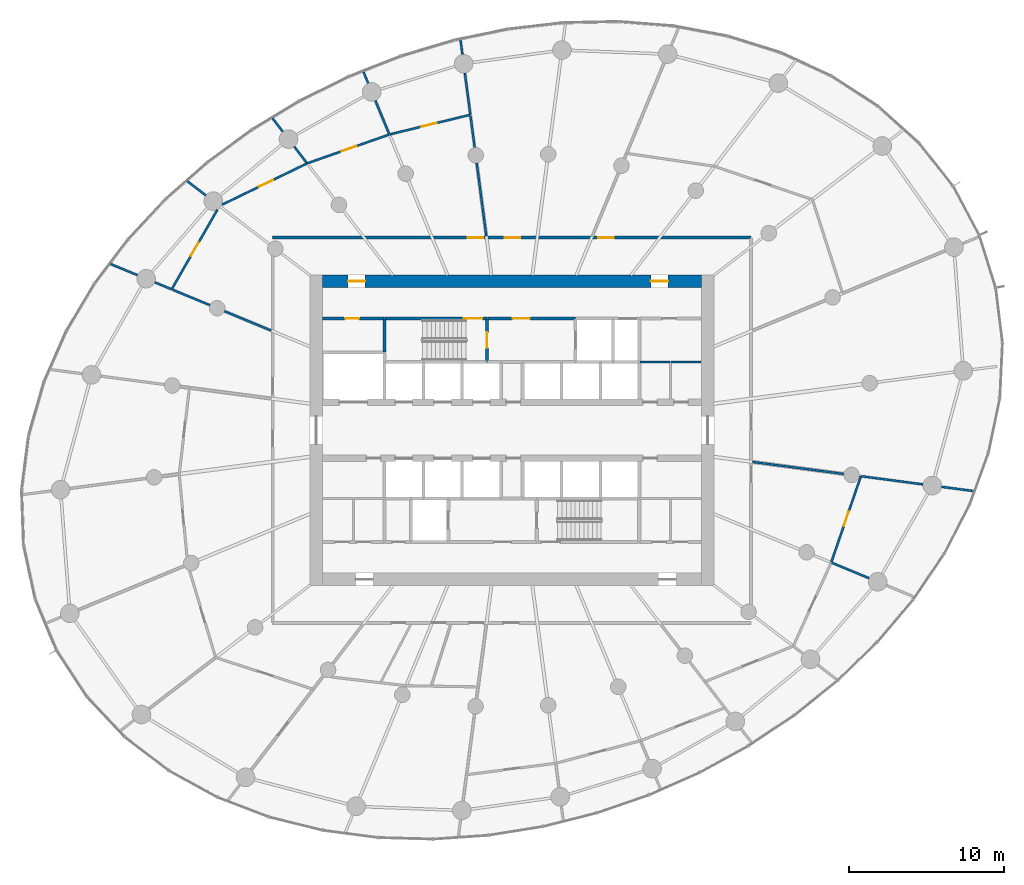
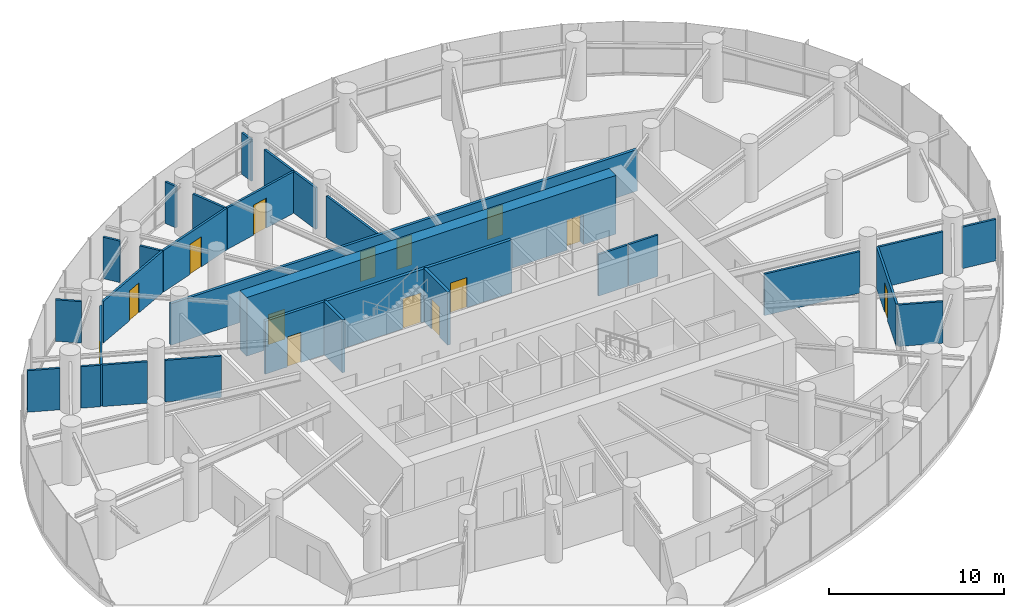
# One storey, part 13 of 17: 31 walls, 14 doors, 14 openings.
"""IFC4 building model written with IfcOpenShell, lengths in metres."""

from ifc_helpers import new_model, si_unit, direction, frame, frame_2d, origin, place, context, subcontext, project, spatial, rectangle, extrude, source, transform, mapped, material, layer, layer_set, type_object, element, fill, save


model = new_model("IFC4")

# Units and contexts
model_context = context("Model", 3, precision=1e-05, world=origin(), true_north=direction((0.0, 1.0)))
body_context = subcontext(model_context, "Body", "Model", "MODEL_VIEW")
ifc_project = project(units=[si_unit("LENGTHUNIT", "METRE"), si_unit("AREAUNIT", "SQUARE_METRE"), si_unit("VOLUMEUNIT", "CUBIC_METRE"), si_unit("PLANEANGLEUNIT", "RADIAN"), si_unit("MASSUNIT", "GRAM", prefix="KILO")], contexts=[model_context])

# Site, building, storey
site_placement = place(None, origin())
site = spatial("IfcSite", under=ifc_project, at=site_placement, CompositionType="ELEMENT")
building_placement = place(site_placement, origin())
building = spatial("IfcBuilding", under=site, at=building_placement, Name="Spindrift Exchange Tower", CompositionType="ELEMENT")
storey_placement = place(building_placement, frame((0.0, 0.0, 88.0)))
storey = spatial("IfcBuildingStorey", under=building, at=storey_placement, Name="L20", CompositionType="ELEMENT", Elevation=88.0)

# Wall, openings, doors
ifc_material_1 = material(Name="Concrete 65 MPa", Category="concrete")
ifc_layer_1 = layer(ifc_material_1, 0.800048828125)
ifc_layer_set_1 = layer_set([ifc_layer_1], Name="RC Core Wall 800 Concrete 65 MPa")
wall_type_1 = type_object("IfcWallType", Name="RC Core Wall 800 Concrete 65 MPa", PredefinedType="SHEAR", material=ifc_layer_set_1)
wall_1_placement = place(storey_placement, frame((64.199951171875, 57.60009765625, 0.0), z_axis=(0.0, 0.0, 1.0), x_axis=(-1.0, 0.0, 0.0)))
wall_1 = element("IfcWall", 1, at=wall_1_placement, inside=storey, type_object=wall_type_1, Name="Core wall N L20", PredefinedType="SHEAR", context=body_context, shape_type="SweptSolid", body=[
    extrude(rectangle(XDim=24.39990234375, YDim=0.800048828125, at=frame_2d((12.199951171875, 0.0))), origin(), (0.0, 0.0, 1.0), 4.10009765625),
])
opening_1_placement = place(wall_1_placement, frame((21.64990234375, 0.0, 0.0)))
opening_1 = element("IfcOpeningElement", 2, at=opening_1_placement, cuts=wall_1, Name="Opening L20-D20", PredefinedType="OPENING", context=body_context, shape_type="SweptSolid", body=[
    extrude(rectangle(XDim=1.10009765625, YDim=2.10009765625, at=frame_2d((0.550048828125, 1.050048828125))), frame((0.0, 0.409912109375, 0.0), z_axis=(0.0, -1.0, 0.0), x_axis=(1.0, 0.0, 0.0)), (0.0, 0.0, 1.0), 0.820068359375),
])
opening_2_placement = place(wall_1_placement, frame((2.14990234375, 0.0, 0.0)))
opening_2 = element("IfcOpeningElement", 3, at=opening_2_placement, cuts=wall_1, Name="Opening L20-D21", PredefinedType="OPENING", context=body_context, shape_type="SweptSolid", body=[
    extrude(rectangle(XDim=1.10009765625, YDim=2.10009765625, at=frame_2d((0.550048828125, 1.050048828125))), frame((0.0, 0.409912109375, 0.0), z_axis=(0.0, -1.0, 0.0), x_axis=(1.0, 0.0, 0.0)), (0.0, 0.0, 1.0), 0.820068359375),
])
ifc_material_2 = material(Name="Steel fire door", Category="steel")
door_type_1 = type_object("IfcDoorType", Name="DR-STAIR-1100", OperationType="NOTDEFINED", PredefinedType="DOOR", material=ifc_material_2)
shared_shape_1 = source(origin(), body_context, "Body", "SweptSolid", [
    extrude(rectangle(XDim=1.10009765625, YDim=2.10009765625, at=frame_2d((0.550048828125, 1.050048828125))), frame((0.0, 0.02490234375, 0.0), z_axis=(0.0, -1.0, 0.0), x_axis=(1.0, 0.0, 0.0)), (0.0, 0.0, 1.0), 0.050048828125),
])
door_1_placement = place(opening_1_placement, origin())
door_1 = element("IfcDoor", 4, at=door_1_placement, inside=storey, type_object=door_type_1, Name="L20 Stair door 20", OperationType="SINGLE_SWING_LEFT", OverallHeight=2.10009765625, OverallWidth=1.10009765625, PredefinedType="DOOR", context=body_context, shape_type="MappedRepresentation", body=[
    mapped(shared_shape_1, transform((0.0, 0.0, 0.0), scale=1.0)),
])
fill(opening_1, door_1)
door_2_placement = place(opening_2_placement, origin())
door_2 = element("IfcDoor", 5, at=door_2_placement, inside=storey, type_object=door_type_1, Name="L20 Stair door 21", OperationType="SINGLE_SWING_RIGHT", OverallHeight=2.10009765625, OverallWidth=1.10009765625, PredefinedType="DOOR", context=body_context, shape_type="MappedRepresentation", body=[
    mapped(shared_shape_1, transform((0.0, 0.0, 0.0), scale=1.0)),
])
fill(opening_2, door_2)

# Wall, opening, door
ifc_material_3 = material(Name="Fire-rated plasterboard partition", Category="gypsum")
ifc_layer_2 = layer(ifc_material_3, 0.179931640625)
ifc_layer_set_2 = layer_set([ifc_layer_2], Name="W-CORR-180")
wall_type_2 = type_object("IfcWallType", Name="W-CORR-180", PredefinedType="PARTITIONING", material=ifc_layer_set_2)
wall_2_placement = place(storey_placement, frame((43.77001953125, 55.199951171875, 0.0), z_axis=(0.0, 0.0, 1.0), x_axis=(-1.0, 0.0, 0.0)))
wall_2 = element("IfcWall", 6, at=wall_2_placement, inside=storey, type_object=wall_type_2, Name="L20 Partition wall 64", PredefinedType="PARTITIONING", context=body_context, shape_type="SweptSolid", body=[
    extrude(rectangle(XDim=3.949951171875, YDim=0.179931640625, at=frame_2d((1.97509765625, 0.0))), origin(), (0.0, 0.0, 1.0), 3.699951171875),
])
opening_3_placement = place(wall_2_placement, frame((1.60009765625, 0.0, 0.0)))
opening_3 = element("IfcOpeningElement", 7, at=opening_3_placement, cuts=wall_2, Name="Opening L20-D51", PredefinedType="OPENING", context=body_context, shape_type="SweptSolid", body=[
    extrude(rectangle(XDim=0.89990234375, YDim=2.10009765625, at=frame_2d((0.449951171875, 1.050048828125))), frame((0.0, 0.099853515625, 0.0), z_axis=(0.0, -1.0, 0.0), x_axis=(1.0, 0.0, 0.0)), (0.0, 0.0, 1.0), 0.199951171875),
])
ifc_material_4 = material(Name="Steel access door", Category="steel")
door_type_2 = type_object("IfcDoorType", Name="DR-RISER-900", OperationType="NOTDEFINED", PredefinedType="DOOR", material=ifc_material_4)
shared_shape_2 = source(origin(), body_context, "Body", "SweptSolid", [
    extrude(rectangle(XDim=0.89990234375, YDim=2.10009765625, at=frame_2d((0.449951171875, 1.050048828125))), frame((0.0, 0.02490234375, 0.0), z_axis=(0.0, -1.0, 0.0), x_axis=(1.0, 0.0, 0.0)), (0.0, 0.0, 1.0), 0.050048828125),
])
door_3_placement = place(opening_3_placement, origin())
door_3 = element("IfcDoor", 8, at=door_3_placement, inside=storey, type_object=door_type_2, Name="L20 Riser door 51", OperationType="SINGLE_SWING_RIGHT", OverallHeight=2.10009765625, OverallWidth=0.89990234375, PredefinedType="DOOR", context=body_context, shape_type="MappedRepresentation", body=[
    mapped(shared_shape_2, transform((0.0, 0.0, 0.0), scale=1.0)),
])
fill(opening_3, door_3)

ifc_layer_3 = layer(ifc_material_3, 0.139892578125)
ifc_layer_set_3 = layer_set([ifc_layer_3], Name="W-PART-140")
wall_type_3 = type_object("IfcWallType", Name="W-PART-140", PredefinedType="PARTITIONING", material=ifc_layer_set_3)
wall_3_placement = place(storey_placement, frame((33.33984375, 62.51806640625, 0.0), z_axis=(0.0, 0.0, 1.0), x_axis=(0.899444681521, 0.437034626641, 0.0)))
wall_3 = element("IfcWall", 9, at=wall_3_placement, inside=storey, type_object=wall_type_3, Name="L20 Partition wall 73", PredefinedType="PARTITIONING", context=body_context, shape_type="SweptSolid", body=[
    extrude(rectangle(XDim=6.090087890625, YDim=0.139892578125, at=frame_2d((3.044921875, 0.0))), origin(), (0.0, 0.0, 1.0), 2.89990234375),
])
opening_4_placement = place(wall_3_placement, frame((2.64013671875, 0.0, 0.0)))
opening_4 = element("IfcOpeningElement", 10, at=opening_4_placement, cuts=wall_3, Name="Opening L20-D43", PredefinedType="OPENING", context=body_context, shape_type="SweptSolid", body=[
    extrude(rectangle(XDim=1.0, YDim=2.10009765625, at=frame_2d((0.5, 1.050048828125))), frame((0.0, 0.079833984375, 0.0), z_axis=(0.0, -1.0, 0.0), x_axis=(1.0, 0.0, 0.0)), (0.0, 0.0, 1.0), 0.159912109375),
])
ifc_material_5 = material(Name="Timber-core fire door", Category="wood")
door_type_3 = type_object("IfcDoorType", Name="DR-ROOM-1000", OperationType="NOTDEFINED", PredefinedType="DOOR", material=ifc_material_5)
shared_shape_3 = source(origin(), body_context, "Body", "SweptSolid", [
    extrude(rectangle(XDim=1.0, YDim=2.10009765625, at=frame_2d((0.5, 1.050048828125))), frame((0.0, 0.02490234375, 0.0), z_axis=(0.0, -1.0, 0.0), x_axis=(1.0, 0.0, 0.0)), (0.0, 0.0, 1.0), 0.050048828125),
])
door_4_placement = place(opening_4_placement, origin())
door_4 = element("IfcDoor", 11, at=door_4_placement, inside=storey, type_object=door_type_3, Name="L20 Door 43", OperationType="SINGLE_SWING_RIGHT", OverallHeight=2.10009765625, OverallWidth=1.0, PredefinedType="DOOR", context=body_context, shape_type="MappedRepresentation", body=[
    mapped(shared_shape_3, transform((0.0, 0.0, 0.0), scale=1.0)),
])
fill(opening_4, door_4)

wall_4_placement = place(storey_placement, frame((30.09765625, 57.072265625, 0.0), z_axis=(0.0, 0.0, 1.0), x_axis=(0.497985873377, 0.867185141661, 0.0)))
wall_4 = element("IfcWall", 12, at=wall_4_placement, inside=storey, type_object=wall_type_3, Name="L20 Partition wall 75", PredefinedType="PARTITIONING", context=body_context, shape_type="SweptSolid", body=[
    extrude(rectangle(XDim=5.91845703125, YDim=0.139892578125, at=frame_2d((2.959228515625, 0.0))), origin(), (0.0, 0.0, 1.0), 2.89990234375),
])
opening_5_placement = place(wall_4_placement, frame((2.468505859375, 0.0, 0.0)))
opening_5 = element("IfcOpeningElement", 13, at=opening_5_placement, cuts=wall_4, Name="Opening L20-D44", PredefinedType="OPENING", context=body_context, shape_type="SweptSolid", body=[
    extrude(rectangle(XDim=1.0, YDim=2.10009765625, at=frame_2d((0.5, 1.050048828125))), frame((0.0, 0.079833984375, 0.0), z_axis=(0.0, -1.0, 0.0), x_axis=(1.0, 0.0, 0.0)), (0.0, 0.0, 1.0), 0.159912109375),
])
door_5_placement = place(opening_5_placement, origin())
door_5 = element("IfcDoor", 14, at=door_5_placement, inside=storey, type_object=door_type_3, Name="L20 Door 44", OperationType="SINGLE_SWING_LEFT", OverallHeight=2.10009765625, OverallWidth=1.0, PredefinedType="DOOR", context=body_context, shape_type="MappedRepresentation", body=[
    mapped(shared_shape_3, transform((0.0, 0.0, 0.0), scale=1.0)),
])
fill(opening_5, door_5)

wall_5_placement = place(storey_placement, frame((74.4638671875, 45.04248046875, 0.0), z_axis=(0.0, 0.0, 1.0), x_axis=(-0.324897670045, -0.94574917605, 0.0)))
wall_5 = element("IfcWall", 15, at=wall_5_placement, inside=storey, type_object=wall_type_3, Name="L20 Partition wall 77", PredefinedType="PARTITIONING", context=body_context, shape_type="SweptSolid", body=[
    extrude(rectangle(XDim=5.845458984375, YDim=0.139892578125, at=frame_2d((2.9228515625, 0.0))), origin(), (0.0, 0.0, 1.0), 2.89990234375),
])
opening_6_placement = place(wall_5_placement, frame((2.3955078125, 0.0, 0.0)))
opening_6 = element("IfcOpeningElement", 16, at=opening_6_placement, cuts=wall_5, Name="Opening L20-D35", PredefinedType="OPENING", context=body_context, shape_type="SweptSolid", body=[
    extrude(rectangle(XDim=1.0, YDim=2.10009765625, at=frame_2d((0.5, 1.050048828125))), frame((0.0, 0.079833984375, 0.0), z_axis=(0.0, -1.0, 0.0), x_axis=(1.0, 0.0, 0.0)), (0.0, 0.0, 1.0), 0.159912109375),
])
door_6_placement = place(opening_6_placement, origin())
door_6 = element("IfcDoor", 17, at=door_6_placement, inside=storey, type_object=door_type_3, Name="L20 Door 35", OperationType="SINGLE_SWING_RIGHT", OverallHeight=2.10009765625, OverallWidth=1.0, PredefinedType="DOOR", context=body_context, shape_type="MappedRepresentation", body=[
    mapped(shared_shape_3, transform((0.0, 0.0, 0.0), scale=1.0)),
])
fill(opening_6, door_6)

wall_6_placement = place(storey_placement, frame((38.845947265625, 65.189697265625, 0.0), z_axis=(0.0, 0.0, 1.0), x_axis=(0.943529976269, 0.331287162266, 0.0)))
wall_6 = element("IfcWall", 18, at=wall_6_placement, inside=storey, type_object=wall_type_3, Name="L20 Partition wall 83", PredefinedType="PARTITIONING", context=body_context, shape_type="SweptSolid", body=[
    extrude(rectangle(XDim=5.5830078125, YDim=0.139892578125, at=frame_2d((2.79150390625, 0.0))), origin(), (0.0, 0.0, 1.0), 2.89990234375),
])
opening_7_placement = place(wall_6_placement, frame((2.3330078125, 0.0, 0.0)))
opening_7 = element("IfcOpeningElement", 19, at=opening_7_placement, cuts=wall_6, Name="Opening L20-D42", PredefinedType="OPENING", context=body_context, shape_type="SweptSolid", body=[
    extrude(rectangle(XDim=1.0, YDim=2.10009765625, at=frame_2d((0.5, 1.050048828125))), frame((0.0, 0.079833984375, 0.0), z_axis=(0.0, -1.0, 0.0), x_axis=(1.0, 0.0, 0.0)), (0.0, 0.0, 1.0), 0.159912109375),
])
door_7_placement = place(opening_7_placement, origin())
door_7 = element("IfcDoor", 20, at=door_7_placement, inside=storey, type_object=door_type_3, Name="L20 Door 42", OperationType="SINGLE_SWING_LEFT", OverallHeight=2.10009765625, OverallWidth=1.0, PredefinedType="DOOR", context=body_context, shape_type="MappedRepresentation", body=[
    mapped(shared_shape_3, transform((0.0, 0.0, 0.0), scale=1.0)),
])
fill(opening_7, door_7)

wall_7_placement = place(storey_placement, frame((44.142822265625, 67.04638671875, 0.0), z_axis=(0.0, 0.0, 1.0), x_axis=(0.971565543157, 0.236770765404, 0.0)))
wall_7 = element("IfcWall", 21, at=wall_7_placement, inside=storey, type_object=wall_type_3, Name="L20 Partition wall 87", PredefinedType="PARTITIONING", context=body_context, shape_type="SweptSolid", body=[
    extrude(rectangle(XDim=5.3349609375, YDim=0.139892578125, at=frame_2d((2.66748046875, 0.0))), origin(), (0.0, 0.0, 1.0), 2.89990234375),
])
opening_8_placement = place(wall_7_placement, frame((2.085205078125, 0.0, 0.0)))
opening_8 = element("IfcOpeningElement", 22, at=opening_8_placement, cuts=wall_7, Name="Opening L20-D41", PredefinedType="OPENING", context=body_context, shape_type="SweptSolid", body=[
    extrude(rectangle(XDim=1.0, YDim=2.10009765625, at=frame_2d((0.5, 1.050048828125))), frame((0.0, 0.079833984375, 0.0), z_axis=(0.0, -1.0, 0.0), x_axis=(1.0, 0.0, 0.0)), (0.0, 0.0, 1.0), 0.159912109375),
])
door_8_placement = place(opening_8_placement, origin())
door_8 = element("IfcDoor", 23, at=door_8_placement, inside=storey, type_object=door_type_3, Name="L20 Door 41", OperationType="SINGLE_SWING_RIGHT", OverallHeight=2.10009765625, OverallWidth=1.0, PredefinedType="DOOR", context=body_context, shape_type="MappedRepresentation", body=[
    mapped(shared_shape_3, transform((0.0, 0.0, 0.0), scale=1.0)),
])
fill(opening_8, door_8)

# Walls
wall_8_placement = place(storey_placement, frame((72.58251953125, 39.474365234375, 0.0), z_axis=(0.0, 0.0, 1.0), x_axis=(0.923895733784, -0.382644316691, 0.0)))
element("IfcWall", 24, at=wall_8_placement, inside=storey, type_object=wall_type_3, Name="L20 Partition wall 105", PredefinedType="PARTITIONING", context=body_context, shape_type="SweptSolid", body=[
    extrude(rectangle(XDim=2.6044921875, YDim=0.139892578125, at=frame_2d((1.30224609375, 0.0))), origin(), (0.0, 0.0, 1.0), 2.89990234375),
])
wall_9_placement = place(storey_placement, frame((44.0869140625, 67.10400390625, 0.0), z_axis=(0.0, 0.0, 1.0), x_axis=(-0.382693574563, 0.92387533141, 0.0)))
element("IfcWall", 25, at=wall_9_placement, inside=storey, type_object=wall_type_3, Name="L20 Partition wall 107", PredefinedType="PARTITIONING", context=body_context, shape_type="SweptSolid", body=[
    extrude(rectangle(XDim=2.292236328125, YDim=0.139892578125, at=frame_2d((1.14599609375, 0.0))), origin(), (0.0, 0.0, 1.0), 2.89990234375),
])
wall_10_placement = place(storey_placement, frame((62.169921875, 52.39990234375, 0.0), z_axis=(0.0, 0.0, 1.0), x_axis=(-1.0, 0.0, 0.0)))
element("IfcWall", 26, at=wall_10_placement, inside=storey, type_object=wall_type_3, Name="L20 Partition wall 115", PredefinedType="PARTITIONING", context=body_context, shape_type="SweptSolid", body=[
    extrude(rectangle(XDim=1.93994140625, YDim=0.139892578125, at=frame_2d((0.969970703125, 0.0))), origin(), (0.0, 0.0, 1.0), 2.89990234375),
])
wall_11_placement = place(storey_placement, frame((64.179931640625, 52.39990234375, 0.0), z_axis=(0.0, 0.0, 1.0), x_axis=(-1.0, 0.0, 0.0)))
element("IfcWall", 27, at=wall_11_placement, inside=storey, type_object=wall_type_3, Name="L20 Partition wall 117", PredefinedType="PARTITIONING", context=body_context, shape_type="SweptSolid", body=[
    extrude(rectangle(XDim=1.949951171875, YDim=0.139892578125, at=frame_2d((0.97509765625, 0.0))), origin(), (0.0, 0.0, 1.0), 2.89990234375),
])
wall_12_placement = place(storey_placement, frame((32.30078125, 63.11572265625, 0.0), z_axis=(0.0, 0.0, 1.0), x_axis=(-0.793329378559, 0.608792655273, 0.0)))
element("IfcWall", 28, at=wall_12_placement, inside=storey, type_object=wall_type_3, Name="L20 Partition wall 125", PredefinedType="PARTITIONING", context=body_context, shape_type="SweptSolid", body=[
    extrude(rectangle(XDim=1.504150390625, YDim=0.139892578125, at=frame_2d((0.751953125, 0.0))), origin(), (0.0, 0.0, 1.0), 2.89990234375),
])
wall_13_placement = place(storey_placement, frame((38.774169921875, 65.236328125, 0.0), z_axis=(0.0, 0.0, 1.0), x_axis=(-0.608862940035, 0.793275437822, 0.0)))
element("IfcWall", 29, at=wall_13_placement, inside=storey, type_object=wall_type_3, Name="L20 Partition wall 127", PredefinedType="PARTITIONING", context=body_context, shape_type="SweptSolid", body=[
    extrude(rectangle(XDim=1.294677734375, YDim=0.139892578125, at=frame_2d((0.6474609375, 0.0))), origin(), (0.0, 0.0, 1.0), 2.89990234375),
])
wall_14_placement = place(storey_placement, frame((37.25, 67.222412109375, 0.0), z_axis=(0.0, 0.0, 1.0), x_axis=(-0.608735888805, 0.793372937326, 0.0)))
element("IfcWall", 30, at=wall_14_placement, inside=storey, type_object=wall_type_3, Name="L20 Partition wall 136", PredefinedType="PARTITIONING", context=body_context, shape_type="SweptSolid", body=[
    extrude(rectangle(XDim=1.07763671875, YDim=0.139892578125, at=frame_2d((0.538818359375, 0.0))), origin(), (0.0, 0.0, 1.0), 2.89990234375),
])
wall_15_placement = place(storey_placement, frame((42.74658203125, 70.339599609375, 0.0), z_axis=(0.0, 0.0, 1.0), x_axis=(-0.382846589746, 0.923811933631, 0.0)))
element("IfcWall", 31, at=wall_15_placement, inside=storey, type_object=wall_type_3, Name="L20 Partition wall 144", PredefinedType="PARTITIONING", context=body_context, shape_type="SweptSolid", body=[
    extrude(rectangle(XDim=0.784423828125, YDim=0.139892578125, at=frame_2d((0.39208984375, 0.0))), origin(), (0.0, 0.0, 1.0), 2.89990234375),
])
ifc_layer_4 = layer(ifc_material_3, 0.139892578125)
ifc_layer_set_4 = layer_set([ifc_layer_4], Name="W-PLANT-140")
wall_type_4 = type_object("IfcWallType", Name="W-PLANT-140", PredefinedType="PARTITIONING", material=ifc_layer_set_4)
wall_16_placement = place(storey_placement, frame((67.489990234375, 45.960693359375, 0.0), z_axis=(0.0, 0.0, 1.0), x_axis=(0.991445034615, -0.130524876315, 0.0)))
element("IfcWall", 32, at=wall_16_placement, inside=storey, type_object=wall_type_4, Name="L20 Partition wall 74", PredefinedType="PARTITIONING", context=body_context, shape_type="SweptSolid", body=[
    extrude(rectangle(XDim=5.923828125, YDim=0.139892578125, at=frame_2d((2.9619140625, 0.0))), origin(), (0.0, 0.0, 1.0), 2.89990234375),
])
wall_17_placement = place(storey_placement, frame((50.355712890625, 60.489990234375, 0.0), z_axis=(0.0, 0.0, 1.0), x_axis=(-0.130548834981, 0.991441880135, 0.0)))
element("IfcWall", 33, at=wall_17_placement, inside=storey, type_object=wall_type_4, Name="L20 Partition wall 92", PredefinedType="PARTITIONING", context=body_context, shape_type="SweptSolid", body=[
    extrude(rectangle(XDim=4.75390625, YDim=0.139892578125, at=frame_2d((2.376953125, 0.0))), origin(), (0.0, 0.0, 1.0), 2.89990234375),
])
wall_18_placement = place(storey_placement, frame((74.49365234375, 45.038818359375, 0.0), z_axis=(0.0, 0.0, 1.0), x_axis=(0.991442675262, -0.130542796312, 0.0)))
element("IfcWall", 34, at=wall_18_placement, inside=storey, type_object=wall_type_4, Name="L20 Partition wall 97", PredefinedType="PARTITIONING", context=body_context, shape_type="SweptSolid", body=[
    extrude(rectangle(XDim=4.005859375, YDim=0.139892578125, at=frame_2d((2.0029296875, 0.0))), origin(), (0.0, 0.0, 1.0), 2.89990234375),
])
wall_19_placement = place(storey_placement, frame((36.510009765625, 54.416259765625, 0.0), z_axis=(0.0, 0.0, 1.0), x_axis=(-0.923911109142, 0.382607190737, 0.0)))
element("IfcWall", 35, at=wall_19_placement, inside=storey, type_object=wall_type_4, Name="L20 Partition wall 99", PredefinedType="PARTITIONING", context=body_context, shape_type="SweptSolid", body=[
    extrude(rectangle(XDim=3.264404296875, YDim=0.139892578125, at=frame_2d((1.63232421875, 0.0))), origin(), (0.0, 0.0, 1.0), 2.89990234375),
])
wall_20_placement = place(storey_placement, frame((49.322265625, 68.33935546875, 0.0), z_axis=(0.0, 0.0, 1.0), x_axis=(-0.130558210358, 0.99144064558, 0.0)))
element("IfcWall", 36, at=wall_20_placement, inside=storey, type_object=wall_type_4, Name="L20 Partition wall 103", PredefinedType="PARTITIONING", context=body_context, shape_type="SweptSolid", body=[
    extrude(rectangle(XDim=2.6796875, YDim=0.139892578125, at=frame_2d((1.33984375, 0.0))), origin(), (0.0, 0.0, 1.0), 2.89990234375),
])
wall_21_placement = place(storey_placement, frame((32.560791015625, 56.052001953125, 0.0), z_axis=(0.0, 0.0, 1.0), x_axis=(-0.923893021101, 0.382650866406, 0.0)))
element("IfcWall", 37, at=wall_21_placement, inside=storey, type_object=wall_type_4, Name="L20 Partition wall 104", PredefinedType="PARTITIONING", context=body_context, shape_type="SweptSolid", body=[
    extrude(rectangle(XDim=2.595458984375, YDim=0.139892578125, at=frame_2d((1.2978515625, 0.0))), origin(), (0.0, 0.0, 1.0), 2.89990234375),
])
wall_22_placement = place(storey_placement, frame((49.603515625, 66.203369140625, 0.0), z_axis=(0.0, 0.0, 1.0), x_axis=(-0.130512933025, 0.99144660689, 0.0)))
element("IfcWall", 38, at=wall_22_placement, inside=storey, type_object=wall_type_4, Name="L20 Partition wall 109", PredefinedType="PARTITIONING", context=body_context, shape_type="SweptSolid", body=[
    extrude(rectangle(XDim=2.053955078125, YDim=0.139892578125, at=frame_2d((1.02685546875, 0.0))), origin(), (0.0, 0.0, 1.0), 2.89990234375),
])
wall_23_placement = place(storey_placement, frame((79.663818359375, 44.35791015625, 0.0), z_axis=(0.0, 0.0, 1.0), x_axis=(0.991451479475, -0.130475912903, 0.0)))
element("IfcWall", 39, at=wall_23_placement, inside=storey, type_object=wall_type_4, Name="L20 Partition wall 112", PredefinedType="PARTITIONING", context=body_context, shape_type="SweptSolid", body=[
    extrude(rectangle(XDim=2.065673828125, YDim=0.139892578125, at=frame_2d((1.03271484375, 0.0))), origin(), (0.0, 0.0, 1.0), 2.89990234375),
])
wall_24_placement = place(storey_placement, frame((27.893310546875, 57.9853515625, 0.0), z_axis=(0.0, 0.0, 1.0), x_axis=(-0.923896609049, 0.382642203354, 0.0)))
element("IfcWall", 40, at=wall_24_placement, inside=storey, type_object=wall_type_4, Name="L20 Partition wall 119", PredefinedType="PARTITIONING", context=body_context, shape_type="SweptSolid", body=[
    extrude(rectangle(XDim=1.880859375, YDim=0.139892578125, at=frame_2d((0.9404296875, 0.0))), origin(), (0.0, 0.0, 1.0), 2.89990234375),
])
wall_25_placement = place(storey_placement, frame((30.070068359375, 57.083740234375, 0.0), z_axis=(0.0, 0.0, 1.0), x_axis=(-0.92391298658, 0.382602657113, 0.0)))
element("IfcWall", 41, at=wall_25_placement, inside=storey, type_object=wall_type_4, Name="L20 Partition wall 131", PredefinedType="PARTITIONING", context=body_context, shape_type="SweptSolid", body=[
    extrude(rectangle(XDim=1.14599609375, YDim=0.139892578125, at=frame_2d((0.572998046875, 0.0))), origin(), (0.0, 0.0, 1.0), 2.89990234375),
])
wall_26_placement = place(storey_placement, frame((48.814697265625, 72.194580078125, 0.0), z_axis=(0.0, 0.0, 1.0), x_axis=(-0.130578341009, 0.99143799446, 0.0)))
element("IfcWall", 42, at=wall_26_placement, inside=storey, type_object=wall_type_4, Name="L20 Partition wall 140", PredefinedType="PARTITIONING", context=body_context, shape_type="SweptSolid", body=[
    extrude(rectangle(XDim=0.91796875, YDim=0.139892578125, at=frame_2d((0.458984375, 0.0))), origin(), (0.0, 0.0, 1.0), 2.89990234375),
])

# Wall, openings, doors
ifc_layer_5 = layer(ifc_material_3, 0.179931640625)
ifc_layer_set_5 = layer_set([ifc_layer_5], Name="W-PLANT-180")
wall_type_5 = type_object("IfcWallType", Name="W-PLANT-180", PredefinedType="PARTITIONING", material=ifc_layer_set_5)
wall_27_placement = place(storey_placement, frame((36.60009765625, 60.39990234375, 0.0), z_axis=(0.0, 0.0, 1.0), x_axis=(1.0, 0.0, 0.0)))
wall_27 = element("IfcWall", 43, at=wall_27_placement, inside=storey, type_object=wall_type_5, Name="L20 Partition wall 58", PredefinedType="PARTITIONING", context=body_context, shape_type="SweptSolid", body=[
    extrude(rectangle(XDim=30.7998046875, YDim=0.179931640625, at=frame_2d((15.39990234375, 0.0))), origin(), (0.0, 0.0, 1.0), 2.89990234375),
])
opening_9_placement = place(wall_27_placement, frame((20.949951171875, 0.0, 0.0)))
opening_9 = element("IfcOpeningElement", 44, at=opening_9_placement, cuts=wall_27, Name="Opening L20-D37", PredefinedType="OPENING", context=body_context, shape_type="SweptSolid", body=[
    extrude(rectangle(XDim=1.0, YDim=2.10009765625, at=frame_2d((0.5, 1.050048828125))), frame((0.0, 0.099853515625, 0.0), z_axis=(0.0, -1.0, 0.0), x_axis=(1.0, 0.0, 0.0)), (0.0, 0.0, 1.0), 0.199951171875),
])
opening_10_placement = place(wall_27_placement, frame((14.949951171875, 0.0, 0.0)))
opening_10 = element("IfcOpeningElement", 45, at=opening_10_placement, cuts=wall_27, Name="Opening L20-D39", PredefinedType="OPENING", context=body_context, shape_type="SweptSolid", body=[
    extrude(rectangle(XDim=1.0, YDim=2.10009765625, at=frame_2d((0.5, 1.050048828125))), frame((0.0, 0.099853515625, 0.0), z_axis=(0.0, -1.0, 0.0), x_axis=(1.0, 0.0, 0.0)), (0.0, 0.0, 1.0), 0.199951171875),
])
opening_11_placement = place(wall_27_placement, frame((12.550048828125, 0.0, 0.0)))
opening_11 = element("IfcOpeningElement", 46, at=opening_11_placement, cuts=wall_27, Name="Opening L20-D40", PredefinedType="OPENING", context=body_context, shape_type="SweptSolid", body=[
    extrude(rectangle(XDim=1.0, YDim=2.10009765625, at=frame_2d((0.5, 1.050048828125))), frame((0.0, 0.099853515625, 0.0), z_axis=(0.0, -1.0, 0.0), x_axis=(1.0, 0.0, 0.0)), (0.0, 0.0, 1.0), 0.199951171875),
])
door_9_placement = place(opening_9_placement, origin())
door_9 = element("IfcDoor", 47, at=door_9_placement, inside=storey, type_object=door_type_3, Name="L20 Door 37", OperationType="SINGLE_SWING_RIGHT", OverallHeight=2.10009765625, OverallWidth=1.0, PredefinedType="DOOR", context=body_context, shape_type="MappedRepresentation", body=[
    mapped(shared_shape_3, transform((0.0, 0.0, 0.0), scale=1.0)),
])
fill(opening_9, door_9)
door_10_placement = place(opening_10_placement, origin())
door_10 = element("IfcDoor", 48, at=door_10_placement, inside=storey, type_object=door_type_3, Name="L20 Door 39", OperationType="SINGLE_SWING_RIGHT", OverallHeight=2.10009765625, OverallWidth=1.0, PredefinedType="DOOR", context=body_context, shape_type="MappedRepresentation", body=[
    mapped(shared_shape_3, transform((0.0, 0.0, 0.0), scale=1.0)),
])
fill(opening_10, door_10)
door_11_placement = place(opening_11_placement, origin())
door_11 = element("IfcDoor", 49, at=door_11_placement, inside=storey, type_object=door_type_3, Name="L20 Door 40", OperationType="SINGLE_SWING_LEFT", OverallHeight=2.10009765625, OverallWidth=1.0, PredefinedType="DOOR", context=body_context, shape_type="MappedRepresentation", body=[
    mapped(shared_shape_3, transform((0.0, 0.0, 0.0), scale=1.0)),
])
fill(opening_11, door_11)

# Wall, opening, door
ifc_material_6 = material(Name="Concrete 40 MPa", Category="concrete")
ifc_layer_6 = layer(ifc_material_6, 0.199951171875)
ifc_layer_set_6 = layer_set([ifc_layer_6], Name="W-SHAFT-200-LB")
wall_type_6 = type_object("IfcWallType", Name="W-SHAFT-200-LB", PredefinedType="SOLIDWALL", material=ifc_layer_set_6)
wall_28_placement = place(storey_placement, frame((50.39990234375, 55.199951171875, 0.0), z_axis=(0.0, 0.0, 1.0), x_axis=(-1.0, 0.0, 0.0)))
wall_28 = element("IfcWall", 50, at=wall_28_placement, inside=storey, type_object=wall_type_6, Name="L20 Shaft wall 1", PredefinedType="SOLIDWALL", context=body_context, shape_type="SweptSolid", body=[
    extrude(rectangle(XDim=6.599853515625, YDim=0.199951171875, at=frame_2d((3.2998046875, 0.0))), origin(), (0.0, 0.0, 1.0), 3.699951171875),
])
opening_12_placement = place(wall_28_placement, frame((0.300048828125, 0.0, 0.0)))
opening_12 = element("IfcOpeningElement", 51, at=opening_12_placement, cuts=wall_28, Name="Opening L20-D13", PredefinedType="OPENING", context=body_context, shape_type="SweptSolid", body=[
    extrude(rectangle(XDim=1.199951171875, YDim=2.10009765625, at=frame_2d((0.60009765625, 1.050048828125))), frame((0.0, 0.10986328125, 0.0), z_axis=(0.0, -1.0, 0.0), x_axis=(1.0, 0.0, 0.0)), (0.0, 0.0, 1.0), 0.219970703125),
])
door_type_4 = type_object("IfcDoorType", Name="DR-STAIR-1200", OperationType="NOTDEFINED", PredefinedType="DOOR", material=ifc_material_2)
shared_shape_4 = source(origin(), body_context, "Body", "SweptSolid", [
    extrude(rectangle(XDim=1.199951171875, YDim=2.10009765625, at=frame_2d((0.60009765625, 1.050048828125))), frame((0.0, 0.02490234375, 0.0), z_axis=(0.0, -1.0, 0.0), x_axis=(1.0, 0.0, 0.0)), (0.0, 0.0, 1.0), 0.050048828125),
])
door_12_placement = place(opening_12_placement, origin())
door_12 = element("IfcDoor", 52, at=door_12_placement, inside=storey, type_object=door_type_4, Name="L20 Stair door 13", OperationType="SINGLE_SWING_RIGHT", OverallHeight=2.10009765625, OverallWidth=1.199951171875, PredefinedType="DOOR", context=body_context, shape_type="MappedRepresentation", body=[
    mapped(shared_shape_4, transform((0.0, 0.0, 0.0), scale=1.0)),
])
fill(opening_12, door_12)

wall_29_placement = place(storey_placement, frame((56.10009765625, 55.199951171875, 0.0), z_axis=(0.0, 0.0, 1.0), x_axis=(-1.0, 0.0, 0.0)))
wall_29 = element("IfcWall", 53, at=wall_29_placement, inside=storey, type_object=wall_type_6, Name="L20 Shaft wall 4", PredefinedType="SOLIDWALL", context=body_context, shape_type="SweptSolid", body=[
    extrude(rectangle(XDim=5.670166015625, YDim=0.199951171875, at=frame_2d((2.8349609375, 0.0))), origin(), (0.0, 0.0, 1.0), 3.699951171875),
])
opening_13_placement = place(wall_29_placement, frame((2.949951171875, 0.0, 0.0)))
opening_13 = element("IfcOpeningElement", 54, at=opening_13_placement, cuts=wall_29, Name="Opening L20-D15", PredefinedType="OPENING", context=body_context, shape_type="SweptSolid", body=[
    extrude(rectangle(XDim=1.10009765625, YDim=2.10009765625, at=frame_2d((0.550048828125, 1.050048828125))), frame((0.0, 0.10986328125, 0.0), z_axis=(0.0, -1.0, 0.0), x_axis=(1.0, 0.0, 0.0)), (0.0, 0.0, 1.0), 0.219970703125),
])
door_type_5 = type_object("IfcDoorType", Name="DR-LOBBY-1100", OperationType="NOTDEFINED", PredefinedType="DOOR", material=ifc_material_5)
shared_shape_5 = source(origin(), body_context, "Body", "SweptSolid", [
    extrude(rectangle(XDim=1.10009765625, YDim=2.10009765625, at=frame_2d((0.550048828125, 1.050048828125))), frame((0.0, 0.02490234375, 0.0), z_axis=(0.0, -1.0, 0.0), x_axis=(1.0, 0.0, 0.0)), (0.0, 0.0, 1.0), 0.050048828125),
])
door_13_placement = place(opening_13_placement, origin())
door_13 = element("IfcDoor", 55, at=door_13_placement, inside=storey, type_object=door_type_5, Name="L20 Lobby door 15", OperationType="SINGLE_SWING_RIGHT", OverallHeight=2.10009765625, OverallWidth=1.10009765625, PredefinedType="DOOR", context=body_context, shape_type="MappedRepresentation", body=[
    mapped(shared_shape_5, transform((0.0, 0.0, 0.0), scale=1.0)),
])
fill(opening_13, door_13)

wall_30_placement = place(storey_placement, frame((50.39990234375, 52.39990234375, 0.0), z_axis=(0.0, 0.0, 1.0), x_axis=(0.0, 1.0, 0.0)))
wall_30 = element("IfcWall", 56, at=wall_30_placement, inside=storey, type_object=wall_type_6, Name="L20 Shaft wall 9", PredefinedType="SOLIDWALL", context=body_context, shape_type="SweptSolid", body=[
    extrude(rectangle(XDim=2.77001953125, YDim=0.199951171875, at=frame_2d((1.385009765625, 0.0))), origin(), (0.0, 0.0, 1.0), 3.699951171875),
])
opening_14_placement = place(wall_30_placement, frame((0.89990234375, 0.0, 0.0)))
opening_14 = element("IfcOpeningElement", 57, at=opening_14_placement, cuts=wall_30, Name="Opening L20-D14", PredefinedType="OPENING", context=body_context, shape_type="SweptSolid", body=[
    extrude(rectangle(XDim=1.0, YDim=2.10009765625, at=frame_2d((0.5, 1.050048828125))), frame((0.0, 0.10986328125, 0.0), z_axis=(0.0, -1.0, 0.0), x_axis=(1.0, 0.0, 0.0)), (0.0, 0.0, 1.0), 0.219970703125),
])
door_type_6 = type_object("IfcDoorType", Name="DR-STAIR-1000", OperationType="NOTDEFINED", PredefinedType="DOOR", material=ifc_material_2)
shared_shape_6 = source(origin(), body_context, "Body", "SweptSolid", [
    extrude(rectangle(XDim=1.0, YDim=2.10009765625, at=frame_2d((0.5, 1.050048828125))), frame((0.0, 0.02490234375, 0.0), z_axis=(0.0, -1.0, 0.0), x_axis=(1.0, 0.0, 0.0)), (0.0, 0.0, 1.0), 0.050048828125),
])
door_14_placement = place(opening_14_placement, origin())
door_14 = element("IfcDoor", 58, at=door_14_placement, inside=storey, type_object=door_type_6, Name="L20 Stair door 14", OperationType="SINGLE_SWING_LEFT", OverallHeight=2.10009765625, OverallWidth=1.0, PredefinedType="DOOR", context=body_context, shape_type="MappedRepresentation", body=[
    mapped(shared_shape_6, transform((0.0, 0.0, 0.0), scale=1.0)),
])
fill(opening_14, door_14)

# Wall
wall_31_placement = place(storey_placement, frame((43.800048828125, 55.169921875, 0.0), z_axis=(0.0, 0.0, 1.0), x_axis=(0.0, -1.0, 0.0)))
element("IfcWall", 59, at=wall_31_placement, inside=storey, type_object=wall_type_6, Name="L20 Shaft wall 39", PredefinedType="SOLIDWALL", context=body_context, shape_type="SweptSolid", body=[
    extrude(rectangle(XDim=2.139892578125, YDim=0.199951171875, at=frame_2d((1.06982421875, 0.0))), origin(), (0.0, 0.0, 1.0), 3.699951171875),
])

save(model, "model.ifc")
